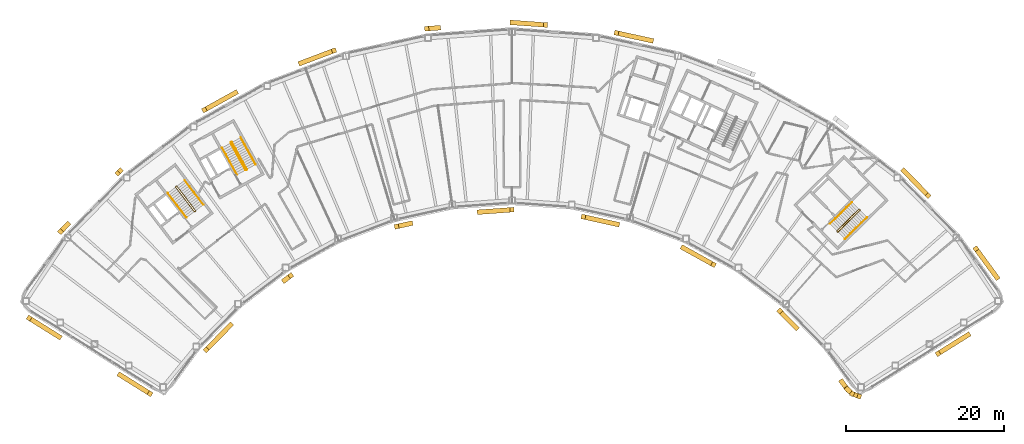
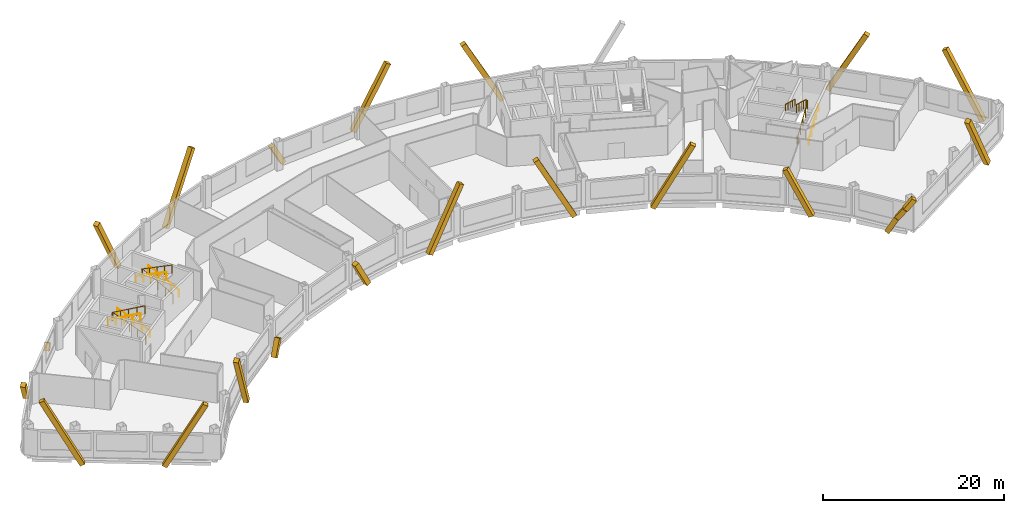
# One storey, part 12 of 13: 22 coverings, 9 railings.
"""IFC4 building model written with IfcOpenShell, lengths in metres."""

from ifc_helpers import new_model, si_unit, direction, frame, origin, origin_2d, place, context, subcontext, project, spatial, rectangle, circle, extrude, material, material_profile, profile_set, type_object, element, save


model = new_model("IFC4")

# Units and contexts
model_context = context("Model", 3, precision=1e-05, world=origin(), true_north=direction((0.0, 1.0)))
body_context = subcontext(model_context, "Body", "Model", "MODEL_VIEW")
ifc_project = project(units=[si_unit("LENGTHUNIT", "METRE"), si_unit("AREAUNIT", "SQUARE_METRE"), si_unit("VOLUMEUNIT", "CUBIC_METRE"), si_unit("PLANEANGLEUNIT", "RADIAN"), si_unit("MASSUNIT", "GRAM", prefix="KILO")], contexts=[model_context])

# Site, building, storey
site_placement = place(None, origin())
site = spatial("IfcSite", under=ifc_project, at=site_placement, CompositionType="ELEMENT")
building_placement = place(site_placement, origin())
building = spatial("IfcBuilding", under=site, at=building_placement, Name="Tuul Gate Civic Tower", CompositionType="ELEMENT")
storey_placement = place(building_placement, frame((0.0, 0.0, 294.199951171875)))
storey = spatial("IfcBuildingStorey", under=building, at=storey_placement, Name="Level 66", CompositionType="ELEMENT", Elevation=294.199951171875)

# Railings
ifc_material_1 = material(Name="Painted steel", Category="steel")
railing_type_1 = type_object("IfcRailingType", Name="Stair guard", PredefinedType="GUARDRAIL", material=ifc_material_1)
railing_1_placement = place(storey_placement, frame((-33.382080078125, -13.515380859375, 0.0)))
element("IfcRailing", 1, at=railing_1_placement, inside=storey, type_object=railing_type_1, Name="Level 66 ST-1 stair guard 1", PredefinedType="GUARDRAIL", context=body_context, shape_type="SweptSolid", body=[
    extrude(circle(Radius=0.02392578125, at=origin_2d()), frame((0.0, 0.0, 1.076171875), z_axis=(-0.795879841968, -0.605454603706, 0.0), x_axis=(0.605454603706, -0.795879841968, 0.0)), (0.0, 0.0, 1.0), 0.10009765625),
    extrude(circle(Radius=0.02392578125, at=origin_2d()), frame((-0.07958984375, -0.060546875, 1.076171875), z_axis=(0.408676696321, 0.599019267211, 0.688592241747), x_axis=(-0.826063974707, 0.563576356576, 0.0)), (0.0, 0.0, 1.0), 0.218017578125),
    extrude(circle(Radius=0.02392578125, at=origin_2d()), frame((0.009521484375, 0.070068359375, 1.22607421875), z_axis=(-0.541824460341, 0.711645023348, 0.447199748346), x_axis=(-0.795637165283, -0.60577347352, 0.0)), (0.0, 0.0, 1.0), 4.3603515625),
    extrude(circle(Radius=0.02392578125, at=origin_2d()), frame((-2.35302734375, 3.173095703125, 3.17626953125), z_axis=(-0.990893089246, 0.134650977284, 0.0), x_axis=(-0.134650977284, -0.990893089246, 0.0)), (0.0, 0.0, 1.0), 0.07080078125),
    extrude(circle(Radius=0.02392578125, at=origin_2d()), frame((-2.423095703125, 3.1826171875, 3.17626953125), z_axis=(-0.793802879778, -0.60817512943, 0.0), x_axis=(0.60817512943, -0.793802879778, 0.0)), (0.0, 0.0, 1.0), 0.099853515625),
    extrude(circle(Radius=0.02392578125, at=origin_2d()), frame((-2.50244140625, 3.121826171875, 3.17626953125), z_axis=(-0.057447065493, -0.422751481959, 0.904423031091), x_axis=(0.990893089246, -0.134650977284, 0.0)), (0.0, 0.0, 1.0), 0.165771484375),
    extrude(circle(Radius=0.02392578125, at=origin_2d()), frame((-2.511962890625, 3.0517578125, 3.326171875), z_axis=(0.541806494602, -0.71163897684, 0.447231136047), x_axis=(0.795644365679, 0.605764016233, 0.0)), (0.0, 0.0, 1.0), 4.360107421875),
    extrude(circle(Radius=0.02099609375, at=origin_2d()), origin(), (0.0, 0.0, 1.0), 1.052001953125),
    extrude(circle(Radius=0.02099609375, at=origin_2d()), frame((-0.07958984375, -0.060546875, 0.0)), (0.0, 0.0, 1.0), 1.052001953125),
    extrude(circle(Radius=0.02099609375, at=origin_2d()), frame((0.009521484375, 0.070068359375, 0.150146484375)), (0.0, 0.0, 1.0), 1.052001953125),
    extrude(circle(Radius=0.02099609375, at=origin_2d()), frame((-0.5810546875, 0.845703125, 0.6376953125)), (0.0, 0.0, 1.0), 1.052001953125),
    extrude(circle(Radius=0.02099609375, at=origin_2d()), frame((-1.171875, 1.62158203125, 1.125)), (0.0, 0.0, 1.0), 1.052001953125),
    extrude(circle(Radius=0.02099609375, at=origin_2d()), frame((-1.762451171875, 2.3974609375, 1.612548828125)), (0.0, 0.0, 1.0), 1.052001953125),
    extrude(circle(Radius=0.02099609375, at=origin_2d()), frame((-2.35302734375, 3.173095703125, 2.10009765625)), (0.0, 0.0, 1.0), 1.052001953125),
    extrude(circle(Radius=0.02099609375, at=origin_2d()), frame((-2.423095703125, 3.1826171875, 2.10009765625)), (0.0, 0.0, 1.0), 1.052001953125),
    extrude(circle(Radius=0.02099609375, at=origin_2d()), frame((-2.50244140625, 3.121826171875, 2.10009765625)), (0.0, 0.0, 1.0), 1.052001953125),
    extrude(circle(Radius=0.02099609375, at=origin_2d()), frame((-2.511962890625, 3.0517578125, 2.25)), (0.0, 0.0, 1.0), 1.052001953125),
    extrude(circle(Radius=0.02099609375, at=origin_2d()), frame((-1.92138671875, 2.276123046875, 2.737548828125)), (0.0, 0.0, 1.0), 1.052001953125),
    extrude(circle(Radius=0.02099609375, at=origin_2d()), frame((-1.330810546875, 1.50048828125, 3.22509765625)), (0.0, 0.0, 1.0), 1.052001953125),
    extrude(circle(Radius=0.02099609375, at=origin_2d()), frame((-0.740234375, 0.724609375, 3.71240234375)), (0.0, 0.0, 1.0), 1.052001953125),
    extrude(circle(Radius=0.02099609375, at=origin_2d()), frame((-0.149658203125, -0.051025390625, 4.199951171875)), (0.0, 0.0, 1.0), 1.052001953125),
])
railing_2_placement = place(storey_placement, frame((-26.857666015625, -8.247314453125, 0.0)))
element("IfcRailing", 2, at=railing_2_placement, inside=storey, type_object=railing_type_1, Name="Level 66 ST-2 stair guard 1", PredefinedType="GUARDRAIL", context=body_context, shape_type="SweptSolid", body=[
    extrude(circle(Radius=0.02392578125, at=origin_2d()), frame((0.0, 0.0, 1.076171875), z_axis=(-0.874616555828, -0.48481530532, 0.0), x_axis=(0.48481530532, -0.874616555828, 0.0)), (0.0, 0.0, 1.0), 0.10009765625),
    extrude(circle(Radius=0.02392578125, at=origin_2d()), frame((-0.087646484375, -0.048583984375, 1.076171875), z_axis=(0.490435707169, 0.534104639999, 0.688625479244), x_axis=(-0.736576986774, 0.676353711126, 0.0)), (0.0, 0.0, 1.0), 0.218017578125),
    extrude(circle(Radius=0.02392578125, at=origin_2d()), frame((0.019287109375, 0.06787109375, 1.22607421875), z_axis=(-0.43354991378, 0.782327185242, 0.447212083348), x_axis=(-0.874667644053, -0.484723129681, 0.0)), (0.0, 0.0, 1.0), 4.3603515625),
    extrude(circle(Radius=0.02392578125, at=origin_2d()), frame((-1.87109375, 3.47900390625, 3.17626953125), z_axis=(-0.961263487578, 0.275631107549, 0.0), x_axis=(-0.275631107549, -0.961263487578, 0.0)), (0.0, 0.0, 1.0), 0.07080078125),
    extrude(circle(Radius=0.02392578125, at=origin_2d()), frame((-1.939208984375, 3.49853515625, 3.17626953125), z_axis=(-0.874042088414, -0.485850211157, 0.0), x_axis=(0.485850211157, -0.874042088414, 0.0)), (0.0, 0.0, 1.0), 0.10009765625),
    extrude(circle(Radius=0.02392578125, at=origin_2d()), frame((-2.026611328125, 3.449951171875, 3.17626953125), z_axis=(-0.117866478395, -0.409586012422, 0.90462522168), x_axis=(0.961000426733, -0.276546885391, 0.0)), (0.0, 0.0, 1.0), 0.165771484375),
    extrude(circle(Radius=0.02392578125, at=origin_2d()), frame((-2.046142578125, 3.382080078125, 3.326171875), z_axis=(0.433595379963, -0.782308193291, 0.447201226726), x_axis=(0.874641102302, 0.484771020343, 0.0)), (0.0, 0.0, 1.0), 4.3603515625),
    extrude(circle(Radius=0.02099609375, at=origin_2d()), origin(), (0.0, 0.0, 1.0), 1.052001953125),
    extrude(circle(Radius=0.02099609375, at=origin_2d()), frame((-0.087646484375, -0.048583984375, 0.0)), (0.0, 0.0, 1.0), 1.052001953125),
    extrude(circle(Radius=0.02099609375, at=origin_2d()), frame((0.019287109375, 0.06787109375, 0.150146484375)), (0.0, 0.0, 1.0), 1.052001953125),
    extrude(circle(Radius=0.02099609375, at=origin_2d()), frame((-0.453369140625, 0.920654296875, 0.6376953125)), (0.0, 0.0, 1.0), 1.052001953125),
    extrude(circle(Radius=0.02099609375, at=origin_2d()), frame((-0.92578125, 1.7734375, 1.125)), (0.0, 0.0, 1.0), 1.052001953125),
    extrude(circle(Radius=0.02099609375, at=origin_2d()), frame((-1.3984375, 2.626220703125, 1.612548828125)), (0.0, 0.0, 1.0), 1.052001953125),
    extrude(circle(Radius=0.02099609375, at=origin_2d()), frame((-1.87109375, 3.47900390625, 2.10009765625)), (0.0, 0.0, 1.0), 1.052001953125),
    extrude(circle(Radius=0.02099609375, at=origin_2d()), frame((-1.939208984375, 3.49853515625, 2.10009765625)), (0.0, 0.0, 1.0), 1.052001953125),
    extrude(circle(Radius=0.02099609375, at=origin_2d()), frame((-2.026611328125, 3.449951171875, 2.10009765625)), (0.0, 0.0, 1.0), 1.052001953125),
    extrude(circle(Radius=0.02099609375, at=origin_2d()), frame((-2.046142578125, 3.382080078125, 2.25)), (0.0, 0.0, 1.0), 1.052001953125),
    extrude(circle(Radius=0.02099609375, at=origin_2d()), frame((-1.573486328125, 2.529296875, 2.737548828125)), (0.0, 0.0, 1.0), 1.052001953125),
    extrude(circle(Radius=0.02099609375, at=origin_2d()), frame((-1.100830078125, 1.676513671875, 3.22509765625)), (0.0, 0.0, 1.0), 1.052001953125),
    extrude(circle(Radius=0.02099609375, at=origin_2d()), frame((-0.628173828125, 0.82373046875, 3.71240234375)), (0.0, 0.0, 1.0), 1.052001953125),
    extrude(circle(Radius=0.02099609375, at=origin_2d()), frame((-0.155517578125, -0.029052734375, 4.199951171875)), (0.0, 0.0, 1.0), 1.052001953125),
])
railing_3_placement = place(storey_placement, frame((48.10546875, -16.134765625, 0.0)))
element("IfcRailing", 3, at=railing_3_placement, inside=storey, type_object=railing_type_1, Name="Level 66 ST-3 stair guard 1", PredefinedType="GUARDRAIL", context=body_context, shape_type="SweptSolid", body=[
    extrude(circle(Radius=0.02392578125, at=origin_2d()), frame((0.0, 0.0, 1.076171875), z_axis=(-0.698506948293, 0.715603272202, 0.0), x_axis=(-0.715603272202, -0.698506948293, 0.0)), (0.0, 0.0, 1.0), 0.099853515625),
    extrude(circle(Radius=0.02392578125, at=origin_2d()), frame((-0.06982421875, 0.071533203125, 1.076171875), z_axis=(0.644948864628, -0.331432055434, 0.688617277337), x_axis=(0.457068866502, 0.889431307788, 0.0)), (0.0, 0.0, 1.0), 0.218017578125),
    extrude(circle(Radius=0.02392578125, at=origin_2d()), frame((0.07080078125, -0.000732421875, 1.22607421875), z_axis=(0.638731261263, 0.626133563701, 0.447190268558), x_axis=(-0.700029477518, 0.714113947914, 0.0)), (0.0, 0.0, 1.0), 4.3603515625),
    extrude(circle(Radius=0.02392578125, at=origin_2d()), frame((2.85595703125, 2.7294921875, 3.17626953125), z_axis=(0.010380063588, 0.999946125689, 0.0), x_axis=(-0.999946125689, 0.010380063588, 0.0)), (0.0, 0.0, 1.0), 0.070556640625),
    extrude(circle(Radius=0.02392578125, at=origin_2d()), frame((2.856689453125, 2.800048828125, 3.17626953125), z_axis=(-0.699754442181, 0.714383454909, 0.0), x_axis=(-0.714383454909, -0.699754442181, 0.0)), (0.0, 0.0, 1.0), 0.10009765625),
    extrude(circle(Radius=0.02392578125, at=origin_2d()), frame((2.78662109375, 2.87158203125, 3.17626953125), z_axis=(-0.427069033481, 0.004417955519, 0.904208229508), x_axis=(-0.010344274102, -0.999946496565, 0.0)), (0.0, 0.0, 1.0), 0.165771484375),
    extrude(circle(Radius=0.02392578125, at=origin_2d()), frame((2.7158203125, 2.872314453125, 3.326171875), z_axis=(-0.638731261263, -0.626133563701, 0.447190268558), x_axis=(0.700029477518, -0.714113947914, 0.0)), (0.0, 0.0, 1.0), 4.3603515625),
    extrude(circle(Radius=0.02099609375, at=origin_2d()), origin(), (0.0, 0.0, 1.0), 1.052001953125),
    extrude(circle(Radius=0.02099609375, at=origin_2d()), frame((-0.06982421875, 0.071533203125, 0.0)), (0.0, 0.0, 1.0), 1.052001953125),
    extrude(circle(Radius=0.02099609375, at=origin_2d()), frame((0.07080078125, -0.000732421875, 0.150146484375)), (0.0, 0.0, 1.0), 1.052001953125),
    extrude(circle(Radius=0.02099609375, at=origin_2d()), frame((0.76708984375, 0.681884765625, 0.6376953125)), (0.0, 0.0, 1.0), 1.052001953125),
    extrude(circle(Radius=0.02099609375, at=origin_2d()), frame((1.46337890625, 1.3642578125, 1.125)), (0.0, 0.0, 1.0), 1.052001953125),
    extrude(circle(Radius=0.02099609375, at=origin_2d()), frame((2.15966796875, 2.046875, 1.612548828125)), (0.0, 0.0, 1.0), 1.052001953125),
    extrude(circle(Radius=0.02099609375, at=origin_2d()), frame((2.85595703125, 2.7294921875, 2.10009765625)), (0.0, 0.0, 1.0), 1.052001953125),
    extrude(circle(Radius=0.02099609375, at=origin_2d()), frame((2.856689453125, 2.800048828125, 2.10009765625)), (0.0, 0.0, 1.0), 1.052001953125),
    extrude(circle(Radius=0.02099609375, at=origin_2d()), frame((2.78662109375, 2.87158203125, 2.10009765625)), (0.0, 0.0, 1.0), 1.052001953125),
    extrude(circle(Radius=0.02099609375, at=origin_2d()), frame((2.7158203125, 2.872314453125, 2.25)), (0.0, 0.0, 1.0), 1.052001953125),
    extrude(circle(Radius=0.02099609375, at=origin_2d()), frame((2.01953125, 2.189697265625, 2.737548828125)), (0.0, 0.0, 1.0), 1.052001953125),
    extrude(circle(Radius=0.02099609375, at=origin_2d()), frame((1.3232421875, 1.50732421875, 3.22509765625)), (0.0, 0.0, 1.0), 1.052001953125),
    extrude(circle(Radius=0.02099609375, at=origin_2d()), frame((0.626953125, 0.82470703125, 3.71240234375)), (0.0, 0.0, 1.0), 1.052001953125),
    extrude(circle(Radius=0.02099609375, at=origin_2d()), frame((-0.0693359375, 0.14208984375, 4.199951171875)), (0.0, 0.0, 1.0), 1.052001953125),
])
ifc_material_2 = material(Name="Painted steel", Category="steel")
railing_type_2 = type_object("IfcRailingType", Name="Stair handrail", PredefinedType="HANDRAIL", material=ifc_material_2)
railing_4_placement = place(storey_placement, frame((-32.3779296875, -12.688232421875, 0.150146484375)))
element("IfcRailing", 4, at=railing_4_placement, inside=storey, type_object=railing_type_2, Name="Level 66 ST-1 stair handrail 1", PredefinedType="HANDRAIL", context=body_context, shape_type="SweptSolid", body=[
    extrude(circle(Radius=0.02392578125, at=origin_2d()), frame((0.0, 0.0, 0.8759765625), z_axis=(-0.541824460341, 0.711645023348, 0.447199748346), x_axis=(-0.795637165283, -0.60577347352, 0.0)), (0.0, 0.0, 1.0), 4.3603515625),
    extrude(circle(Radius=0.02099609375, at=origin_2d()), origin(), (0.0, 0.0, 1.0), 0.851806640625),
    extrude(circle(Radius=0.02099609375, at=origin_2d()), frame((-0.590576171875, 0.77587890625, 0.487548828125)), (0.0, 0.0, 1.0), 0.851806640625),
    extrude(circle(Radius=0.02099609375, at=origin_2d()), frame((-1.18115234375, 1.551513671875, 0.97509765625)), (0.0, 0.0, 1.0), 0.851806640625),
    extrude(circle(Radius=0.02099609375, at=origin_2d()), frame((-1.77197265625, 2.3271484375, 1.46240234375)), (0.0, 0.0, 1.0), 0.851806640625),
    extrude(circle(Radius=0.02099609375, at=origin_2d()), frame((-2.362548828125, 3.10302734375, 1.949951171875)), (0.0, 0.0, 1.0), 0.851806640625),
])
railing_5_placement = place(storey_placement, frame((-36.888671875, -11.220703125, 2.25)))
element("IfcRailing", 5, at=railing_5_placement, inside=storey, type_object=railing_type_2, Name="Level 66 ST-1 stair handrail 2", PredefinedType="HANDRAIL", context=body_context, shape_type="SweptSolid", body=[
    extrude(circle(Radius=0.02392578125, at=origin_2d()), frame((0.0, 0.0, 0.8759765625), z_axis=(0.541824460341, -0.711645023348, 0.447199748346), x_axis=(0.795637165283, 0.60577347352, 0.0)), (0.0, 0.0, 1.0), 4.3603515625),
    extrude(circle(Radius=0.02099609375, at=origin_2d()), origin(), (0.0, 0.0, 1.0), 0.851806640625),
    extrude(circle(Radius=0.02099609375, at=origin_2d()), frame((0.590576171875, -0.77587890625, 0.487548828125)), (0.0, 0.0, 1.0), 0.851806640625),
    extrude(circle(Radius=0.02099609375, at=origin_2d()), frame((1.18115234375, -1.551513671875, 0.97509765625)), (0.0, 0.0, 1.0), 0.851806640625),
    extrude(circle(Radius=0.02099609375, at=origin_2d()), frame((1.77197265625, -2.3271484375, 1.46240234375)), (0.0, 0.0, 1.0), 0.851806640625),
    extrude(circle(Radius=0.02099609375, at=origin_2d()), frame((2.362548828125, -3.10302734375, 1.949951171875)), (0.0, 0.0, 1.0), 0.851806640625),
])
railing_6_placement = place(storey_placement, frame((-25.744873046875, -7.573486328125, 0.150146484375)))
element("IfcRailing", 6, at=railing_6_placement, inside=storey, type_object=railing_type_2, Name="Level 66 ST-2 stair handrail 1", PredefinedType="HANDRAIL", context=body_context, shape_type="SweptSolid", body=[
    extrude(circle(Radius=0.02392578125, at=origin_2d()), frame((0.0, 0.0, 0.8759765625), z_axis=(-0.433595379963, 0.782308193291, 0.447201226726), x_axis=(-0.874641102302, -0.484771020343, 0.0)), (0.0, 0.0, 1.0), 4.3603515625),
    extrude(circle(Radius=0.02099609375, at=origin_2d()), origin(), (0.0, 0.0, 1.0), 0.851806640625),
    extrude(circle(Radius=0.02099609375, at=origin_2d()), frame((-0.47265625, 0.852783203125, 0.487548828125)), (0.0, 0.0, 1.0), 0.851806640625),
    extrude(circle(Radius=0.02099609375, at=origin_2d()), frame((-0.9453125, 1.70556640625, 0.97509765625)), (0.0, 0.0, 1.0), 0.851806640625),
    extrude(circle(Radius=0.02099609375, at=origin_2d()), frame((-1.41796875, 2.558349609375, 1.46240234375)), (0.0, 0.0, 1.0), 0.851806640625),
    extrude(circle(Radius=0.02099609375, at=origin_2d()), frame((-1.890625, 3.4111328125, 1.949951171875)), (0.0, 0.0, 1.0), 0.851806640625),
])
railing_7_placement = place(storey_placement, frame((-29.9970703125, -5.47119140625, 2.25)))
element("IfcRailing", 7, at=railing_7_placement, inside=storey, type_object=railing_type_2, Name="Level 66 ST-2 stair handrail 2", PredefinedType="HANDRAIL", context=body_context, shape_type="SweptSolid", body=[
    extrude(circle(Radius=0.02392578125, at=origin_2d()), frame((0.0, 0.0, 0.8759765625), z_axis=(0.433595379963, -0.782308193291, 0.447201226726), x_axis=(0.874641102302, 0.484771020343, 0.0)), (0.0, 0.0, 1.0), 4.3603515625),
    extrude(circle(Radius=0.02099609375, at=origin_2d()), origin(), (0.0, 0.0, 1.0), 0.851806640625),
    extrude(circle(Radius=0.02099609375, at=origin_2d()), frame((0.47265625, -0.852783203125, 0.487548828125)), (0.0, 0.0, 1.0), 0.851806640625),
    extrude(circle(Radius=0.02099609375, at=origin_2d()), frame((0.9453125, -1.70556640625, 0.97509765625)), (0.0, 0.0, 1.0), 0.851806640625),
    extrude(circle(Radius=0.02099609375, at=origin_2d()), frame((1.41796875, -2.558349609375, 1.46240234375)), (0.0, 0.0, 1.0), 0.851806640625),
    extrude(circle(Radius=0.02099609375, at=origin_2d()), frame((1.890625, -3.4111328125, 1.949951171875)), (0.0, 0.0, 1.0), 0.851806640625),
])
railing_8_placement = place(storey_placement, frame((49.05126953125, -17.028076171875, 0.150146484375)))
element("IfcRailing", 8, at=railing_8_placement, inside=storey, type_object=railing_type_2, Name="Level 66 ST-3 stair handrail 1", PredefinedType="HANDRAIL", context=body_context, shape_type="SweptSolid", body=[
    extrude(circle(Radius=0.02392578125, at=origin_2d()), frame((0.0, 0.0, 0.8759765625), z_axis=(0.638753653487, 0.626099522554, 0.447205945863), x_axis=(-0.699997553204, 0.714145241186, 0.0)), (0.0, 0.0, 1.0), 4.3603515625),
    extrude(circle(Radius=0.02099609375, at=origin_2d()), origin(), (0.0, 0.0, 1.0), 0.851806640625),
    extrude(circle(Radius=0.02099609375, at=origin_2d()), frame((0.6962890625, 0.6826171875, 0.487548828125)), (0.0, 0.0, 1.0), 0.851806640625),
    extrude(circle(Radius=0.02099609375, at=origin_2d()), frame((1.392578125, 1.364990234375, 0.97509765625)), (0.0, 0.0, 1.0), 0.851806640625),
    extrude(circle(Radius=0.02099609375, at=origin_2d()), frame((2.0888671875, 2.04736328125, 1.46240234375)), (0.0, 0.0, 1.0), 0.851806640625),
    extrude(circle(Radius=0.02099609375, at=origin_2d()), frame((2.78515625, 2.72998046875, 1.949951171875)), (0.0, 0.0, 1.0), 0.851806640625),
])
railing_9_placement = place(storey_placement, frame((49.9462890625, -12.369873046875, 2.25)))
element("IfcRailing", 9, at=railing_9_placement, inside=storey, type_object=railing_type_2, Name="Level 66 ST-3 stair handrail 2", PredefinedType="HANDRAIL", context=body_context, shape_type="SweptSolid", body=[
    extrude(circle(Radius=0.02392578125, at=origin_2d()), frame((0.0, 0.0, 0.8759765625), z_axis=(-0.638753653487, -0.626099522554, 0.447205945863), x_axis=(0.699997553204, -0.714145241186, 0.0)), (0.0, 0.0, 1.0), 4.3603515625),
    extrude(circle(Radius=0.02099609375, at=origin_2d()), origin(), (0.0, 0.0, 1.0), 0.851806640625),
    extrude(circle(Radius=0.02099609375, at=origin_2d()), frame((-0.6962890625, -0.6826171875, 0.487548828125)), (0.0, 0.0, 1.0), 0.851806640625),
    extrude(circle(Radius=0.02099609375, at=origin_2d()), frame((-1.392578125, -1.364990234375, 0.97509765625)), (0.0, 0.0, 1.0), 0.851806640625),
    extrude(circle(Radius=0.02099609375, at=origin_2d()), frame((-2.0888671875, -2.04736328125, 1.46240234375)), (0.0, 0.0, 1.0), 0.851806640625),
    extrude(circle(Radius=0.02099609375, at=origin_2d()), frame((-2.78515625, -2.72998046875, 1.949951171875)), (0.0, 0.0, 1.0), 0.851806640625),
])

# Coverings
ifc_material_3 = material(Name="Terracotta baguette", Category="masonry")
ifc_material_profile = material_profile(ifc_material_3, rectangle(XDim=0.60009765625, YDim=0.60009765625, at=origin_2d()), Name="Terracotta baguette screen frame")
ifc_profile_set = profile_set([ifc_material_profile], Name="Terracotta baguette")
covering_type = type_object("IfcCoveringType", Name="Terracotta baguette screen frame", PredefinedType="CLADDING", material=ifc_profile_set)
covering_1_placement = place(storey_placement, frame((64.689208984375, -29.19384765625, -0.349853515625), z_axis=(-0.402317058192, -0.251358609748, 0.880318030028), x_axis=(0.529863185224, -0.848083135633, 0.0)))
element("IfcCovering", 10, at=covering_1_placement, inside=storey, type_object=covering_type, Name="Baguette 3", PredefinedType="CLADDING", context=body_context, shape_type="SweptSolid", body=[
    extrude(rectangle(XDim=0.60009765625, YDim=0.60009765625, at=origin_2d()), origin(), (0.0, 0.0, 1.0), 9.5419921875),
])
covering_2_placement = place(storey_placement, frame((68.348388671875, -21.952880859375, -0.349853515625), z_axis=(-0.281391306686, 0.385252694939, 0.878862499805), x_axis=(-0.807530403609, -0.589825946569, 0.0)))
element("IfcCovering", 11, at=covering_2_placement, inside=storey, type_object=covering_type, Name="Baguette 18", PredefinedType="CLADDING", context=body_context, shape_type="SweptSolid", body=[
    extrude(rectangle(XDim=0.60009765625, YDim=0.60009765625, at=origin_2d()), origin(), (0.0, 0.0, 1.0), 9.5576171875),
])
covering_3_placement = place(storey_placement, frame((59.59375, -11.531982421875, 8.050048828125), z_axis=(-0.332622804511, 0.339329014659, -0.879896522171), x_axis=(-0.714128280474, -0.70001485629, 0.0)))
element("IfcCovering", 12, at=covering_3_placement, inside=storey, type_object=covering_type, Name="Baguette 27", PredefinedType="CLADDING", context=body_context, shape_type="SweptSolid", body=[
    extrude(rectangle(XDim=0.60009765625, YDim=0.60009765625, at=origin_2d()), origin(), (0.0, 0.0, 1.0), 9.356201171875),
])
covering_4_placement = place(storey_placement, frame((24.470947265625, 8.139404296875, -0.349853515625), z_axis=(-0.464037985813, 0.102244357524, 0.879894788641), x_axis=(-0.215174921103, -0.976575523617, 0.0)))
element("IfcCovering", 13, at=covering_4_placement, inside=storey, type_object=covering_type, Name="Baguette 60", PredefinedType="CLADDING", context=body_context, shape_type="SweptSolid", body=[
    extrude(rectangle(XDim=0.60009765625, YDim=0.60009765625, at=origin_2d()), origin(), (0.0, 0.0, 1.0), 9.54638671875),
])
covering_5_placement = place(storey_placement, frame((11.044189453125, 10.126708984375, 8.050048828125), z_axis=(-0.473928889478, 0.03433558122, -0.879893445583), x_axis=(-0.072259413527, -0.997385871745, 0.0)))
element("IfcCovering", 14, at=covering_5_placement, inside=storey, type_object=covering_type, Name="Baguette 69", PredefinedType="CLADDING", context=body_context, shape_type="SweptSolid", body=[
    extrude(rectangle(XDim=0.60009765625, YDim=0.60009765625, at=origin_2d()), origin(), (0.0, 0.0, 1.0), 8.98046875),
])
covering_6_placement = place(storey_placement, frame((-2.529052734375, 9.760009765625, -0.349853515625), z_axis=(-0.473954067998, -0.034282113903, 0.879881968274), x_axis=(0.072143664594, -0.997394250865, 0.0)))
element("IfcCovering", 15, at=covering_6_placement, inside=storey, type_object=covering_type, Name="Baguette 81", PredefinedType="CLADDING", context=body_context, shape_type="SweptSolid", body=[
    extrude(rectangle(XDim=0.60009765625, YDim=0.60009765625, at=origin_2d()), origin(), (0.0, 0.0, 1.0), 3.17626953125),
])
for number, where, z_axis, x_axis, name in (
    (16, (-15.798828125, 6.874267578125, 8.050048828125), (-0.444447097075, -0.168096597565, -0.879892216006), (0.353758489664, -0.935336800832, 0.0), "Baguette 93"),
    (17, (-28.284423828125, 1.535400390625, -0.349853515625), (-0.415599156496, -0.23036842051, 0.879890750009), (0.484806475071, -0.874621450531, 0.0), "Baguette 102"),
):
    element("IfcCovering", number, at=place(storey_placement, frame(where, z_axis=z_axis, x_axis=x_axis)), inside=storey, type_object=covering_type, Name=name, PredefinedType="CLADDING", context=body_context, shape_type="SweptSolid", body=[
        extrude(rectangle(XDim=0.60009765625, YDim=0.60009765625, at=origin_2d()), origin(), (0.0, 0.0, 1.0), 9.546630859375),
    ])
covering_7_placement = place(storey_placement, frame((-42.905517578125, -8.357177734375, 0.47900390625), z_axis=(-0.332740975496, -0.339478721106, -0.879794090195), x_axis=(0.714158332197, -0.69998419736, 0.0)))
element("IfcCovering", 18, at=covering_7_placement, inside=storey, type_object=covering_type, Name="Baguette 112", PredefinedType="CLADDING", context=body_context, shape_type="SweptSolid", body=[
    extrude(rectangle(XDim=0.60009765625, YDim=0.60009765625, at=origin_2d()), origin(), (0.0, 0.0, 1.0), 0.942138671875),
])
covering_8_placement = place(storey_placement, frame((-49.570068359375, -15.155517578125, -0.349853515625), z_axis=(-0.33267215135, -0.339297697341, 0.879889943285), x_axis=(0.714044065429, -0.70010075891, 0.0)))
element("IfcCovering", 19, at=covering_8_placement, inside=storey, type_object=covering_type, Name="Baguette 123", PredefinedType="CLADDING", context=body_context, shape_type="SweptSolid", body=[
    extrude(rectangle(XDim=0.60009765625, YDim=0.60009765625, at=origin_2d()), origin(), (0.0, 0.0, 1.0), 2.800537109375),
])
for number, where, z_axis, x_axis, name in (
    (20, (-54.496337890625, -27.07958984375, 8.050048828125), (0.402311882917, -0.25140654805, -0.880306705905), (0.529940764372, 0.848034661, 0.0), "Baguette 147"),
    (21, (-42.979736328125, -34.27587890625, -0.349853515625), (0.402311882917, -0.25140654805, 0.880306705905), (0.529940764372, 0.848034661, 0.0), "Baguette 154"),
):
    element("IfcCovering", number, at=place(storey_placement, frame(where, z_axis=z_axis, x_axis=x_axis)), inside=storey, type_object=covering_type, Name=name, PredefinedType="CLADDING", context=body_context, shape_type="SweptSolid", body=[
        extrude(rectangle(XDim=0.60009765625, YDim=0.60009765625, at=origin_2d()), origin(), (0.0, 0.0, 1.0), 9.5419921875),
    ])
covering_9_placement = place(storey_placement, frame((-32.017822265625, -31.1064453125, 8.050048828125), z_axis=(0.326307578482, 0.332890300317, -0.884707529176), x_axis=(-0.714132313758, 0.700010741665, 0.0)))
element("IfcCovering", 22, at=covering_9_placement, inside=storey, type_object=covering_type, Name="Baguette 178", PredefinedType="CLADDING", context=body_context, shape_type="SweptSolid", body=[
    extrude(rectangle(XDim=0.60009765625, YDim=0.60009765625, at=origin_2d()), origin(), (0.0, 0.0, 1.0), 9.49462890625),
])
covering_10_placement = place(storey_placement, frame((-22.1142578125, -22.314208984375, -0.349853515625), z_axis=(0.37085661759, 0.282407368625, 0.884709809675), x_axis=(-0.605839521282, 0.795586874234, 0.0)))
element("IfcCovering", 23, at=covering_10_placement, inside=storey, type_object=covering_type, Name="Baguette 188", PredefinedType="CLADDING", context=body_context, shape_type="SweptSolid", body=[
    extrude(rectangle(XDim=0.60009765625, YDim=0.60009765625, at=origin_2d()), origin(), (0.0, 0.0, 1.0), 2.246826171875),
])
covering_11_placement = place(storey_placement, frame((-7.8544921875, -15.459716796875, 3.105224609375), z_axis=(0.455229347503, 0.100335498866, -0.884702791247), x_axis=(-0.215240395152, 0.976561095014, 0.0)))
element("IfcCovering", 24, at=covering_11_placement, inside=storey, type_object=covering_type, Name="Baguette 201", PredefinedType="CLADDING", context=body_context, shape_type="SweptSolid", body=[
    extrude(rectangle(XDim=0.60009765625, YDim=0.60009765625, at=origin_2d()), origin(), (0.0, 0.0, 1.0), 3.9052734375),
])
covering_12_placement = place(storey_placement, frame((2.635498046875, -13.6279296875, -0.349853515625), z_axis=(0.46495333329, 0.033704947966, 0.884693378717), x_axis=(-0.072301313181, 0.997382835281, 0.0)))
element("IfcCovering", 25, at=covering_12_placement, inside=storey, type_object=covering_type, Name="Baguette 214", PredefinedType="CLADDING", context=body_context, shape_type="SweptSolid", body=[
    extrude(rectangle(XDim=0.60009765625, YDim=0.60009765625, at=origin_2d()), origin(), (0.0, 0.0, 1.0), 8.93115234375),
])
for number, where, z_axis, x_axis, name in (
    (26, (15.843505859375, -14.228271484375, 8.050048828125), (0.455233015253, -0.100334343963, -0.884701034952), (0.215236378617, 0.976561980276, 0.0), "Baguette 226"),
    (27, (28.490478515625, -18.150634765625, -0.349853515625), (0.407714066256, -0.225996400626, 0.884700439178), (0.484804374507, 0.87462261488, 0.0), "Baguette 237"),
):
    element("IfcCovering", number, at=place(storey_placement, frame(where, z_axis=z_axis, x_axis=x_axis)), inside=storey, type_object=covering_type, Name=name, PredefinedType="CLADDING", context=body_context, shape_type="SweptSolid", body=[
        extrude(rectangle(XDim=0.60009765625, YDim=0.60009765625, at=origin_2d()), origin(), (0.0, 0.0, 1.0), 9.49462890625),
    ])
covering_13_placement = place(storey_placement, frame((40.75830078125, -26.173828125, 5.35693359375), z_axis=(0.326328454044, -0.332876218199, -0.88470512796), x_axis=(0.714095122772, 0.700048680903, 0.0)))
element("IfcCovering", 28, at=covering_13_placement, inside=storey, type_object=covering_type, Name="Baguette 247", PredefinedType="CLADDING", context=body_context, shape_type="SweptSolid", body=[
    extrude(rectangle(XDim=0.60009765625, YDim=0.60009765625, at=origin_2d()), origin(), (0.0, 0.0, 1.0), 6.450439453125),
])
covering_14_placement = place(storey_placement, frame((48.61669921875, -35.119873046875, -0.349853515625), z_axis=(0.278637538784, -0.381588356526, 0.881335037397), x_axis=(0.807608329119, 0.589719243995, 0.0)))
element("IfcCovering", 29, at=covering_14_placement, inside=storey, type_object=covering_type, Name="Baguette 264", PredefinedType="CLADDING", context=body_context, shape_type="SweptSolid", body=[
    extrude(rectangle(XDim=0.60009765625, YDim=0.60009765625, at=origin_2d()), origin(), (0.0, 0.0, 1.0), 2.440185546875),
])
covering_15_placement = place(storey_placement, frame((49.296630859375, -36.051025390625, 1.80078125), z_axis=(0.418296815722, -0.392357132014, 0.81919695734), x_axis=(0.684130296537, 0.729359813371, 0.0)))
element("IfcCovering", 30, at=covering_15_placement, inside=storey, type_object=covering_type, Name="Baguette 265", PredefinedType="CLADDING", context=body_context, shape_type="SweptSolid", body=[
    extrude(rectangle(XDim=0.60009765625, YDim=0.60009765625, at=origin_2d()), origin(), (0.0, 0.0, 1.0), 1.57177734375),
])
covering_16_placement = place(storey_placement, frame((49.9541015625, -36.667724609375, 3.08837890625), z_axis=(0.560354628182, -0.222027305506, 0.797938948971), x_axis=(0.368364368109, 0.929681500465, 0.0)))
element("IfcCovering", 31, at=covering_16_placement, inside=storey, type_object=covering_type, Name="Baguette 266", PredefinedType="CLADDING", context=body_context, shape_type="SweptSolid", body=[
    extrude(rectangle(XDim=0.60009765625, YDim=0.60009765625, at=origin_2d()), origin(), (0.0, 0.0, 1.0), 1.616455078125),
])

save(model, "model.ifc")
